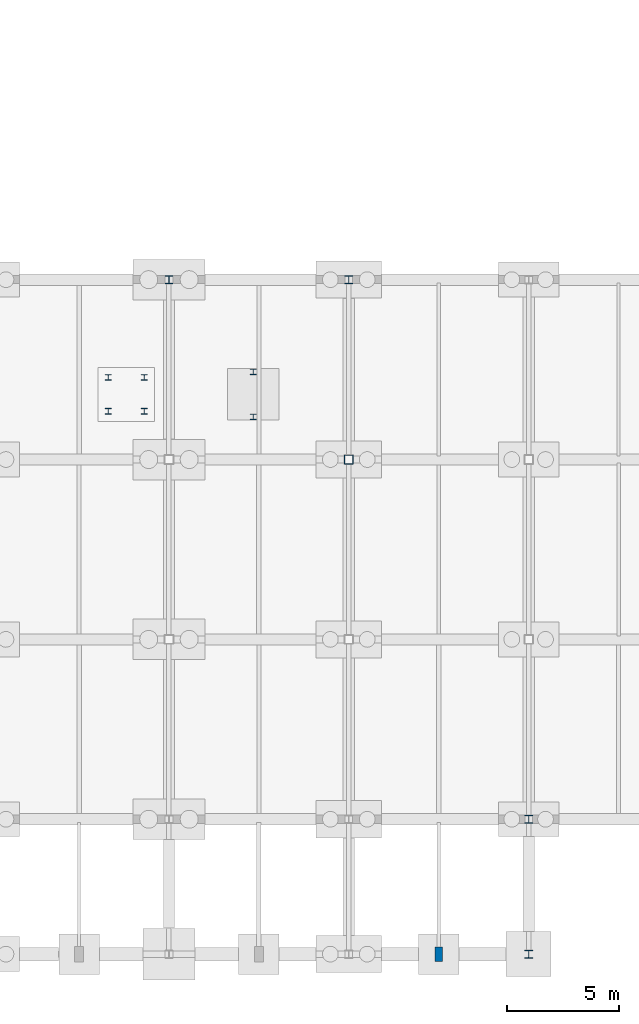
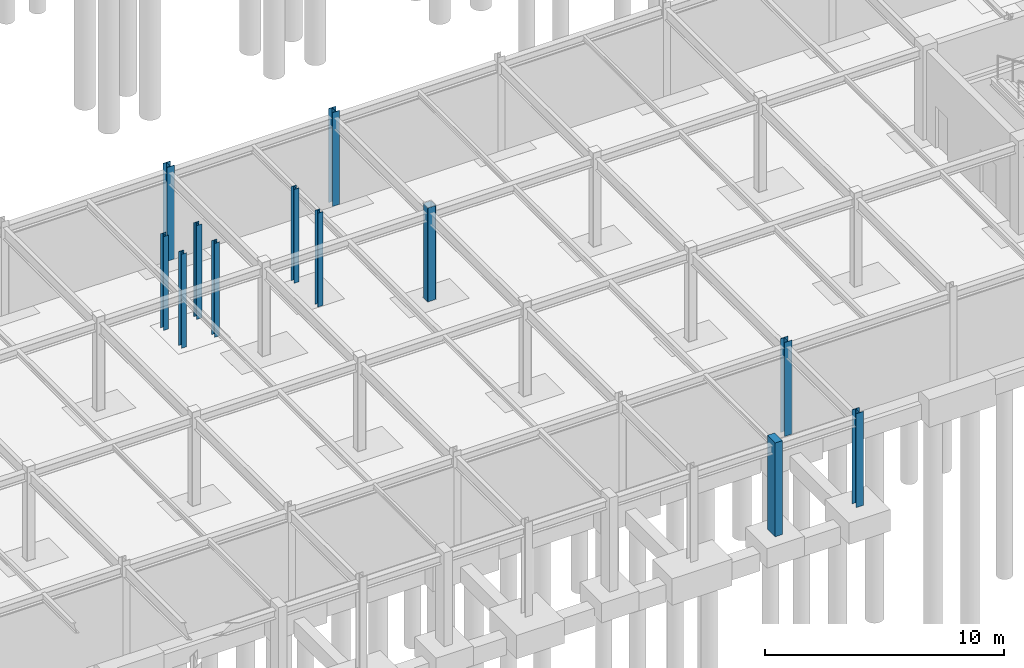
# One storey, part 17 of 72: 12 columns.
"""IFC4 building model written with IfcOpenShell, lengths in metres."""

from ifc_helpers import new_model, si_unit, direction, frame, origin, origin_2d, place, context, subcontext, project, spatial, rectangle, hollow_rectangle, i_section, extrude, material, material_profile, profile_set, type_object, element, save


model = new_model("IFC4")

# Units and contexts
model_context = context("Model", 3, precision=1e-05, world=origin(), true_north=direction((0.0, 1.0)))
body_context = subcontext(model_context, "Body", "Model", "MODEL_VIEW")
ifc_project = project(units=[si_unit("LENGTHUNIT", "METRE"), si_unit("AREAUNIT", "SQUARE_METRE"), si_unit("VOLUMEUNIT", "CUBIC_METRE"), si_unit("PLANEANGLEUNIT", "RADIAN"), si_unit("MASSUNIT", "GRAM", prefix="KILO")], contexts=[model_context])

# Site, building, storey
site_placement = place(None, origin())
site = spatial("IfcSite", under=ifc_project, at=site_placement, CompositionType="ELEMENT")
building_placement = place(site_placement, origin())
building = spatial("IfcBuilding", under=site, at=building_placement, Name="Zhaolan Boulevard Law Courts", CompositionType="ELEMENT")
storey_placement = place(building_placement, frame((0.0, 0.0, -4.800048828125)))
storey = spatial("IfcBuildingStorey", under=building, at=storey_placement, Name="B1", CompositionType="ELEMENT", Elevation=-4.800048828125)

# Columns
ifc_material_1 = material(Name="Structural steel Q355B", Category="steel")
ifc_material_profile_1 = material_profile(ifc_material_1, hollow_rectangle(XDim=0.39990234375, YDim=0.39990234375, WallThickness=0.01611328125, InnerFilletRadius=0.01611328125, OuterFilletRadius=0.031982421875, at=origin_2d()), Name="BOX400x400x16")
ifc_profile_set_1 = profile_set([ifc_material_profile_1], Name="Structural steel Q355B")
column_type_1 = type_object("IfcColumnType", Name="COL BOX400", PredefinedType="COLUMN", material=ifc_profile_set_1)
column_1_placement = place(storey_placement, frame((92.0, 22.0, 0.0), z_axis=(0.0, 0.0, 1.0), x_axis=(1.0, 0.0, 0.0)))
element("IfcColumn", 1, at=column_1_placement, inside=storey, type_object=column_type_1, Name="Column C-12D (B1)", PredefinedType="COLUMN", context=body_context, shape_type="SweptSolid", body=[
    extrude(hollow_rectangle(XDim=0.39990234375, YDim=0.39990234375, WallThickness=0.01611328125, InnerFilletRadius=0.01611328125, OuterFilletRadius=0.031982421875, at=origin_2d()), origin(), (0.0, 0.0, 1.0), 4.800048828125),
])
ifc_material_2 = material(Name="Structural steel Q355B", Category="steel")
ifc_material_profile_2 = material_profile(ifc_material_2, i_section(OverallWidth=0.25, OverallDepth=0.25, WebThickness=0.009033203125, FlangeThickness=0.013916015625, FilletRadius=0.01611328125, at=origin_2d()), Name="HW250x250")
ifc_profile_set_2 = profile_set([ifc_material_profile_2], Name="Structural steel Q355B")
column_type_2 = type_object("IfcColumnType", Name="COL HW250", PredefinedType="COLUMN", material=ifc_profile_set_2)
for number, where, z_axis, x_axis, name in (
    (2, (81.300048828125, 24.14990234375, 0.0), (0.0, 0.0, 1.0), (1.0, 0.0, 0.0), "Grand Stair Substructure Column CS6-1"),
    (3, (82.89990234375, 24.14990234375, 0.0), (0.0, 0.0, 1.0), (1.0, 0.0, 0.0), "Grand Stair Substructure Column CS6-2"),
    (4, (81.300048828125, 25.64990234375, 0.0), (0.0, 0.0, 1.0), (1.0, 0.0, 0.0), "Grand Stair Substructure Column CS6-3"),
    (5, (82.89990234375, 25.64990234375, 0.0), (0.0, 0.0, 1.0), (1.0, 0.0, 0.0), "Grand Stair Substructure Column CS6-4"),
    (6, (87.75, 23.89990234375, 0.0), (0.0, 0.0, 1.0), (1.0, 0.0, 0.0), "Grand Stair Arrival Subcolumn CS6T-1"),
    (7, (87.75, 25.89990234375, 0.0), (0.0, 0.0, 1.0), (1.0, 0.0, 0.0), "Grand Stair Arrival Subcolumn CS6T-2"),
):
    element("IfcColumn", number, at=place(storey_placement, frame(where, z_axis=z_axis, x_axis=x_axis)), inside=storey, type_object=column_type_2, Name=name, PredefinedType="COLUMN", context=body_context, shape_type="SweptSolid", body=[
        extrude(i_section(OverallWidth=0.25, OverallDepth=0.25, WebThickness=0.009033203125, FlangeThickness=0.013916015625, FilletRadius=0.01611328125, at=origin_2d()), origin(), (0.0, 0.0, 1.0), 4.800048828125),
    ])
ifc_material_3 = material(Name="Structural steel Q355B", Category="steel")
ifc_material_profile_3 = material_profile(ifc_material_3, i_section(OverallWidth=0.35009765625, OverallDepth=0.35009765625, WebThickness=0.011962890625, FlangeThickness=0.01904296875, FilletRadius=0.02001953125, at=origin_2d()), Name="HW350x350")
ifc_profile_set_3 = profile_set([ifc_material_profile_3], Name="Structural steel Q355B")
column_type_3 = type_object("IfcColumnType", Name="COL HW350", PredefinedType="COLUMN", material=ifc_profile_set_3)
for number, where, z_axis, x_axis, name in (
    (8, (84.0, 30.0, 0.0), (0.0, 0.0, 1.0), (1.0, 0.0, 0.0), "Column C-11E (B1)"),
    (9, (92.0, 30.0, 0.0), (0.0, 0.0, 1.0), (1.0, 0.0, 0.0), "Column C-12E (B1)"),
    (10, (100.0, 0.0, 0.0), (0.0, 0.0, 1.0), (1.0, 0.0, 0.0), "Column C-13A (B1)"),
    (11, (100.0, 6.0, 0.0), (0.0, 0.0, 1.0), (1.0, 0.0, 0.0), "Column C-13B (B1)"),
):
    element("IfcColumn", number, at=place(storey_placement, frame(where, z_axis=z_axis, x_axis=x_axis)), inside=storey, type_object=column_type_3, Name=name, PredefinedType="COLUMN", context=body_context, shape_type="SweptSolid", body=[
        extrude(i_section(OverallWidth=0.35009765625, OverallDepth=0.35009765625, WebThickness=0.011962890625, FlangeThickness=0.01904296875, FilletRadius=0.02001953125, at=origin_2d()), origin(), (0.0, 0.0, 1.0), 4.800048828125),
    ])
ifc_material_4 = material(Name="Concrete C40", Category="concrete")
ifc_material_profile_4 = material_profile(ifc_material_4, rectangle(XDim=0.35009765625, YDim=0.64990234375, at=origin_2d()), Name="RC350x650")
ifc_profile_set_4 = profile_set([ifc_material_profile_4], Name="Concrete C40")
column_type_4 = type_object("IfcColumnType", Name="PILASTER 350X650", PredefinedType="PILASTER", material=ifc_profile_set_4)
column_2_placement = place(storey_placement, frame((96.0, 0.0, 0.0), z_axis=(0.0, 0.0, 1.0), x_axis=(1.0, 0.0, 0.0)))
element("IfcColumn", 12, at=column_2_placement, inside=storey, type_object=column_type_4, Name="Facade Pilaster PIL-07 (B1)", PredefinedType="PILASTER", context=body_context, shape_type="SweptSolid", body=[
    extrude(rectangle(XDim=0.35009765625, YDim=0.64990234375, at=origin_2d()), origin(), (0.0, 0.0, 1.0), 4.800048828125),
])

save(model, "model.ifc")
